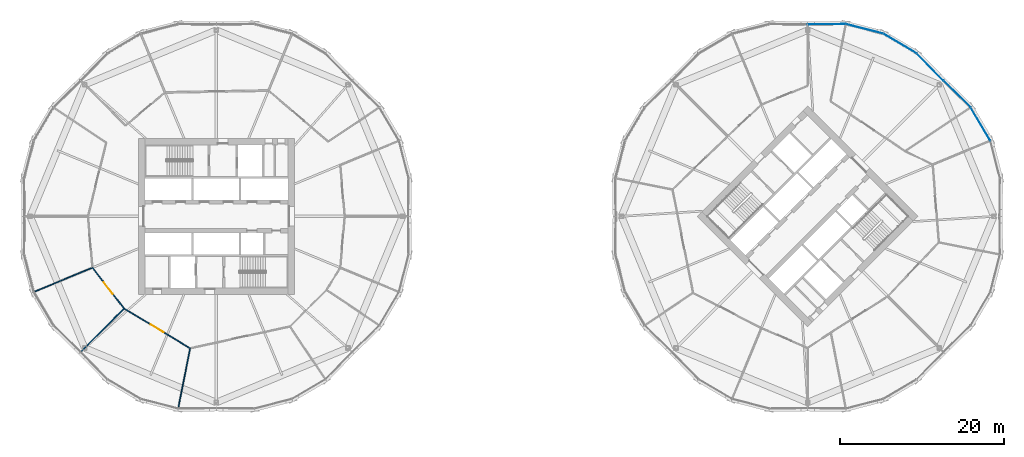
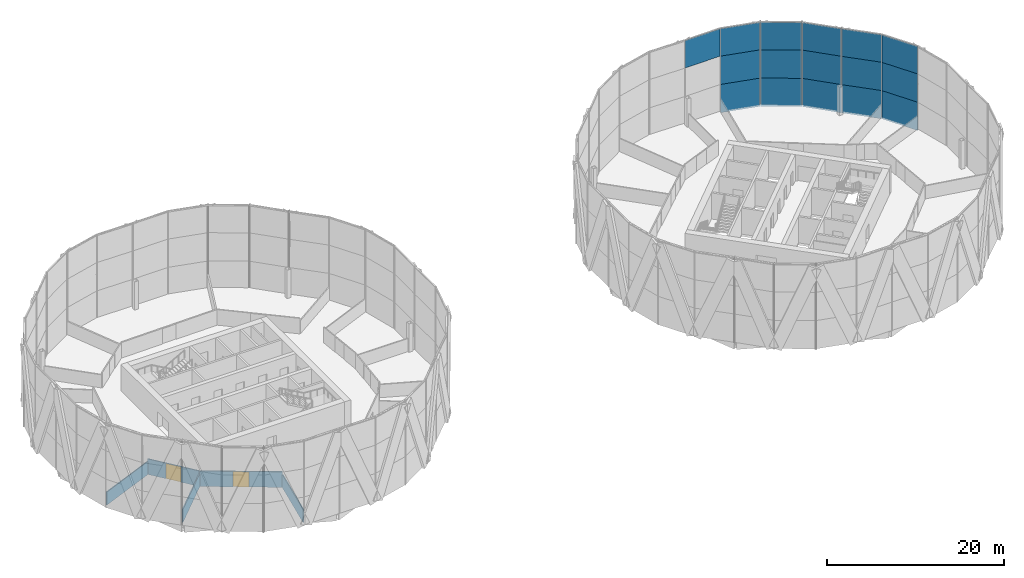
# One storey, part 19 of 26: 16 plates, 5 walls, 2 doors, 2 openings, 2 elements without a shape of their own.
"""IFC4 building model written with IfcOpenShell, lengths in metres."""

from ifc_helpers import new_model, si_unit, direction, frame, frame_2d, origin, origin_2d, place, context, subcontext, project, spatial, rectangle, extrude, material, layer, layer_set, type_object, element, fill, aggregate, save


model = new_model("IFC4")

# Units and contexts
model_context = context("Model", 3, precision=1e-05, world=origin(), true_north=direction((0.0, 1.0)))
body_context = subcontext(model_context, "Body", "Model", "MODEL_VIEW")
ifc_project = project(units=[si_unit("LENGTHUNIT", "METRE"), si_unit("AREAUNIT", "SQUARE_METRE"), si_unit("VOLUMEUNIT", "CUBIC_METRE"), si_unit("PLANEANGLEUNIT", "RADIAN"), si_unit("MASSUNIT", "GRAM", prefix="KILO")], contexts=[model_context])

# Site, building, storey
site_placement = place(None, origin())
site = spatial("IfcSite", under=ifc_project, at=site_placement, CompositionType="ELEMENT")
building_placement = place(site_placement, origin())
building = spatial("IfcBuilding", under=site, at=building_placement, Name="Ogive Gate Towers", CompositionType="ELEMENT")
storey_placement = place(building_placement, frame((0.0, 0.0, 87.89990234375)))
storey = spatial("IfcBuildingStorey", under=building, at=storey_placement, Name="L20", CompositionType="ELEMENT", Elevation=87.89990234375)

# Curtain wall, plates
ifc_material_1 = material(Name="Pale metal aluminium", Category="aluminium")
curtain_wall_type = type_object("IfcCurtainWallType", Name="Tower unitised wall, low zone", PredefinedType="NOTDEFINED", material=ifc_material_1)
curtain_wall_1_placement = place(storey_placement, origin())
curtain_wall_1 = element("IfcCurtainWall", 1, at=curtain_wall_1_placement, inside=storey, type_object=curtain_wall_type, Name="CW1 T2 ECW01", PredefinedType="NOTDEFINED")
ifc_material_2 = material(Name="Clear glass", Category="glass")
ifc_layer_1 = layer(ifc_material_2, 0.028076171875)
ifc_layer_set_1 = layer_set([ifc_layer_1], Name="Tower unitised wall, low zone glass panel")
plate_type = type_object("IfcPlateType", Name="Tower unitised wall, low zone glass panel", PredefinedType="CURTAIN_PANEL", material=ifc_layer_set_1)
plate_1_placement = place(storey_placement, frame((57.041015625, 11.239990234375, -0.2998046875), z_axis=(0.0, 0.0, 1.0), x_axis=(-0.508440380454, 0.861097195167, 0.0)))
plate_1 = element("IfcPlate", 2, at=plate_1_placement, type_object=plate_type, Name="CW1 glass panel", PredefinedType="CURTAIN_PANEL", context=body_context, shape_type="SweptSolid", body=[
    extrude(rectangle(XDim=4.64892578125, YDim=0.028076171875, at=origin_2d()), origin(), (0.0, 0.0, 1.0), 3.89990234375),
])
plate_2_placement = place(storey_placement, frame((57.041015625, 11.239990234375, 3.60009765625), z_axis=(0.0, 0.0, 1.0), x_axis=(-0.508440380454, 0.861097195167, 0.0)))
plate_2 = element("IfcPlate", 3, at=plate_2_placement, type_object=plate_type, Name="CW1 glass panel", PredefinedType="CURTAIN_PANEL", context=body_context, shape_type="SweptSolid", body=[
    extrude(rectangle(XDim=4.64892578125, YDim=0.028076171875, at=origin_2d()), origin(), (0.0, 0.0, 1.0), 3.89990234375),
])
plate_3_placement = place(storey_placement, frame((57.041015625, 11.239990234375, 7.5), z_axis=(0.0, 0.0, 1.0), x_axis=(-0.508440380454, 0.861097195167, 0.0)))
plate_3 = element("IfcPlate", 4, at=plate_3_placement, type_object=plate_type, Name="CW1 glass panel", PredefinedType="CURTAIN_PANEL", context=body_context, shape_type="SweptSolid", body=[
    extrude(rectangle(XDim=4.64892578125, YDim=0.028076171875, at=origin_2d()), origin(), (0.0, 0.0, 1.0), 3.803955078125),
])
plate_4_placement = place(storey_placement, frame((54.182861328125, 14.89794921875, -0.2998046875), z_axis=(0.0, 0.0, 1.0), x_axis=(-0.713678477155, 0.700473433647, 0.0)))
plate_4 = element("IfcPlate", 5, at=plate_4_placement, type_object=plate_type, Name="CW1 glass panel", PredefinedType="CURTAIN_PANEL", context=body_context, shape_type="SweptSolid", body=[
    extrude(rectangle(XDim=4.591796875, YDim=0.028076171875, at=origin_2d()), origin(), (0.0, 0.0, 1.0), 3.89990234375),
])
plate_5_placement = place(storey_placement, frame((54.182861328125, 14.89794921875, 3.60009765625), z_axis=(0.0, 0.0, 1.0), x_axis=(-0.713678477155, 0.700473433647, 0.0)))
plate_5 = element("IfcPlate", 6, at=plate_5_placement, type_object=plate_type, Name="CW1 glass panel", PredefinedType="CURTAIN_PANEL", context=body_context, shape_type="SweptSolid", body=[
    extrude(rectangle(XDim=4.591796875, YDim=0.028076171875, at=origin_2d()), origin(), (0.0, 0.0, 1.0), 3.89990234375),
])
plate_6_placement = place(storey_placement, frame((54.182861328125, 14.89794921875, 7.5), z_axis=(0.0, 0.0, 1.0), x_axis=(-0.713678477155, 0.700473433647, 0.0)))
plate_6 = element("IfcPlate", 7, at=plate_6_placement, type_object=plate_type, Name="CW1 glass panel", PredefinedType="CURTAIN_PANEL", context=body_context, shape_type="SweptSolid", body=[
    extrude(rectangle(XDim=4.591796875, YDim=0.028076171875, at=origin_2d()), origin(), (0.0, 0.0, 1.0), 3.803955078125),
])
aggregate(curtain_wall_1, [plate_1, plate_2, plate_3, plate_4, plate_5, plate_6])

curtain_wall_2_placement = place(storey_placement, origin())
curtain_wall_2 = element("IfcCurtainWall", 8, at=curtain_wall_2_placement, inside=storey, type_object=curtain_wall_type, Name="CW1 T2 ECW02", PredefinedType="NOTDEFINED")
plate_7_placement = place(storey_placement, frame((50.89794921875, 18.182861328125, -0.2998046875), z_axis=(0.0, 0.0, 1.0), x_axis=(-0.700473433647, 0.713678477155, 0.0)))
plate_7 = element("IfcPlate", 9, at=plate_7_placement, type_object=plate_type, Name="CW1 glass panel", PredefinedType="CURTAIN_PANEL", context=body_context, shape_type="SweptSolid", body=[
    extrude(rectangle(XDim=4.591796875, YDim=0.028076171875, at=origin_2d()), origin(), (0.0, 0.0, 1.0), 3.89990234375),
])
plate_8_placement = place(storey_placement, frame((50.89794921875, 18.182861328125, 3.60009765625), z_axis=(0.0, 0.0, 1.0), x_axis=(-0.700473433647, 0.713678477155, 0.0)))
plate_8 = element("IfcPlate", 10, at=plate_8_placement, type_object=plate_type, Name="CW1 glass panel", PredefinedType="CURTAIN_PANEL", context=body_context, shape_type="SweptSolid", body=[
    extrude(rectangle(XDim=4.591796875, YDim=0.028076171875, at=origin_2d()), origin(), (0.0, 0.0, 1.0), 3.89990234375),
])
plate_9_placement = place(storey_placement, frame((50.89794921875, 18.182861328125, 7.5), z_axis=(0.0, 0.0, 1.0), x_axis=(-0.700473433647, 0.713678477155, 0.0)))
plate_9 = element("IfcPlate", 11, at=plate_9_placement, type_object=plate_type, Name="CW1 glass panel", PredefinedType="CURTAIN_PANEL", context=body_context, shape_type="SweptSolid", body=[
    extrude(rectangle(XDim=4.591796875, YDim=0.028076171875, at=origin_2d()), origin(), (0.0, 0.0, 1.0), 3.803955078125),
])
plate_10_placement = place(storey_placement, frame((47.239990234375, 21.041015625, -0.2998046875), z_axis=(0.0, 0.0, 1.0), x_axis=(-0.861097195167, 0.508440380454, 0.0)))
plate_10 = element("IfcPlate", 12, at=plate_10_placement, type_object=plate_type, Name="CW1 glass panel", PredefinedType="CURTAIN_PANEL", context=body_context, shape_type="SweptSolid", body=[
    extrude(rectangle(XDim=4.64892578125, YDim=0.028076171875, at=origin_2d()), origin(), (0.0, 0.0, 1.0), 3.89990234375),
])
plate_11_placement = place(storey_placement, frame((47.239990234375, 21.041015625, 3.60009765625), z_axis=(0.0, 0.0, 1.0), x_axis=(-0.861097195167, 0.508440380454, 0.0)))
plate_11 = element("IfcPlate", 13, at=plate_11_placement, type_object=plate_type, Name="CW1 glass panel", PredefinedType="CURTAIN_PANEL", context=body_context, shape_type="SweptSolid", body=[
    extrude(rectangle(XDim=4.64892578125, YDim=0.028076171875, at=origin_2d()), origin(), (0.0, 0.0, 1.0), 3.89990234375),
])
plate_12_placement = place(storey_placement, frame((47.239990234375, 21.041015625, 7.5), z_axis=(0.0, 0.0, 1.0), x_axis=(-0.861097195167, 0.508440380454, 0.0)))
plate_12 = element("IfcPlate", 14, at=plate_12_placement, type_object=plate_type, Name="CW1 glass panel", PredefinedType="CURTAIN_PANEL", context=body_context, shape_type="SweptSolid", body=[
    extrude(rectangle(XDim=4.64892578125, YDim=0.028076171875, at=origin_2d()), origin(), (0.0, 0.0, 1.0), 3.803955078125),
])
plate_13_placement = place(storey_placement, frame((42.930419921875, 22.826171875, -0.2998046875), z_axis=(0.0, 0.0, 1.0), x_axis=(-0.968413658922, 0.249349123146, 0.0)))
plate_13 = element("IfcPlate", 15, at=plate_13_placement, type_object=plate_type, Name="CW1 glass panel", PredefinedType="CURTAIN_PANEL", context=body_context, shape_type="SweptSolid", body=[
    extrude(rectangle(XDim=4.649169921875, YDim=0.028076171875, at=origin_2d()), origin(), (0.0, 0.0, 1.0), 3.89990234375),
])
plate_14_placement = place(storey_placement, frame((42.930419921875, 22.826171875, 3.60009765625), z_axis=(0.0, 0.0, 1.0), x_axis=(-0.968413658922, 0.249349123146, 0.0)))
plate_14 = element("IfcPlate", 16, at=plate_14_placement, type_object=plate_type, Name="CW1 glass panel", PredefinedType="CURTAIN_PANEL", context=body_context, shape_type="SweptSolid", body=[
    extrude(rectangle(XDim=4.649169921875, YDim=0.028076171875, at=origin_2d()), origin(), (0.0, 0.0, 1.0), 3.89990234375),
])
plate_15_placement = place(storey_placement, frame((42.930419921875, 22.826171875, 7.5), z_axis=(0.0, 0.0, 1.0), x_axis=(-0.968413658922, 0.249349123146, 0.0)))
plate_15 = element("IfcPlate", 17, at=plate_15_placement, type_object=plate_type, Name="CW1 glass panel", PredefinedType="CURTAIN_PANEL", context=body_context, shape_type="SweptSolid", body=[
    extrude(rectangle(XDim=4.649169921875, YDim=0.028076171875, at=origin_2d()), origin(), (0.0, 0.0, 1.0), 3.803955078125),
])
plate_16_placement = place(storey_placement, frame((38.32275390625, 23.3916015625, 7.5), z_axis=(0.0, 0.0, 1.0), x_axis=(-0.999956405756, -0.009337375811, 0.0)))
plate_16 = element("IfcPlate", 18, at=plate_16_placement, type_object=plate_type, Name="CW1 glass panel", PredefinedType="CURTAIN_PANEL", context=body_context, shape_type="SweptSolid", body=[
    extrude(rectangle(XDim=4.591796875, YDim=0.028076171875, at=origin_2d()), origin(), (0.0, 0.0, 1.0), 3.803955078125),
])
aggregate(curtain_wall_2, [plate_7, plate_8, plate_9, plate_10, plate_11, plate_12, plate_13, plate_14, plate_15, plate_16])

# Walls
ifc_material_3 = material(Name="Gypsum board partition")
ifc_layer_2 = layer(ifc_material_3, 0.125)
ifc_layer_set_2 = layer_set([ifc_layer_2], Name="Partition 125")
wall_type = type_object("IfcWallType", Name="Partition 125", PredefinedType="PARTITIONING", material=ifc_layer_set_2)
wall_1_placement = place(storey_placement, frame((-58.1455078125, -9.1728515625, 0.0), z_axis=(0.0, 0.0, 1.0), x_axis=(0.923883306307, 0.382674321488, 0.0)))
element("IfcWall", 19, at=wall_1_placement, inside=storey, type_object=wall_type, Name="Partition T1-L20-009", PredefinedType="PARTITIONING", context=body_context, shape_type="SweptSolid", body=[
    extrude(rectangle(XDim=7.57666015625, YDim=0.125, at=frame_2d((3.788330078125, 0.0))), origin(), (0.0, 0.0, 1.0), 1.800048828125),
])
wall_2_placement = place(storey_placement, frame((-52.45361328125, -16.45361328125, 0.0), z_axis=(0.0, 0.0, 1.0), x_axis=(0.707106781187, 0.707106781187, 0.0)))
element("IfcWall", 20, at=wall_2_placement, inside=storey, type_object=wall_type, Name="Partition T1-L20-010", PredefinedType="PARTITIONING", context=body_context, shape_type="SweptSolid", body=[
    extrude(rectangle(XDim=7.326171875, YDim=0.125, at=frame_2d((3.6630859375, 0.0))), origin(), (0.0, 0.0, 1.0), 1.800048828125),
])
wall_3_placement = place(storey_placement, frame((-40.6298828125, -23.314208984375, 0.0), z_axis=(0.0, 0.0, 1.0), x_axis=(0.194776598736, 0.980847631686, 0.0)))
element("IfcWall", 21, at=wall_3_placement, inside=storey, type_object=wall_type, Name="Partition T1-L20-011", PredefinedType="PARTITIONING", context=body_context, shape_type="SweptSolid", body=[
    extrude(rectangle(XDim=7.326416015625, YDim=0.125, at=frame_2d((3.6630859375, 0.0))), origin(), (0.0, 0.0, 1.0), 1.800048828125),
])

# Wall, opening, door
wall_4_placement = place(storey_placement, frame((-51.087890625, -6.24951171875, 0.0), z_axis=(0.0, 0.0, 1.0), x_axis=(0.612549874442, -0.790431939714, 0.0)))
wall_4 = element("IfcWall", 22, at=wall_4_placement, inside=storey, type_object=wall_type, Name="Partition T1-L20-020", PredefinedType="PARTITIONING", context=body_context, shape_type="SweptSolid", body=[
    extrude(rectangle(XDim=6.2998046875, YDim=0.125, at=frame_2d((3.14990234375, 0.0))), origin(), (0.0, 0.0, 1.0), 2.14013671875),
])
opening_1_placement = place(wall_4_placement, frame((2.25, 0.0, 0.0)))
opening_1 = element("IfcOpeningElement", 23, at=opening_1_placement, cuts=wall_4, Name="Opening T1-L20-D06", PredefinedType="OPENING", context=body_context, shape_type="SweptSolid", body=[
    extrude(rectangle(XDim=1.800048828125, YDim=2.10009765625, at=frame_2d((0.89990234375, 1.050048828125))), frame((0.0, 0.072509765625, 0.0), z_axis=(0.0, -1.0, 0.0), x_axis=(1.0, 0.0, 0.0)), (0.0, 0.0, 1.0), 0.14501953125),
])
ifc_material_4 = material(Name="Timber door", Category="wood")
door_type = type_object("IfcDoorType", Name="Door pair 1800", OperationType="NOTDEFINED", PredefinedType="DOOR", material=ifc_material_4)
door_1_placement = place(opening_1_placement, origin())
door_1 = element("IfcDoor", 24, at=door_1_placement, inside=storey, type_object=door_type, Name="Door T1-L20-D06", OperationType="DOUBLE_DOOR_DOUBLE_SWING", OverallHeight=2.10009765625, OverallWidth=1.800048828125, PredefinedType="DOOR", context=body_context, shape_type="SweptSolid", body=[
    extrude(rectangle(XDim=1.800048828125, YDim=2.10009765625, at=frame_2d((0.89990234375, 1.050048828125))), frame((0.0, 0.02490234375, 0.0), z_axis=(0.0, -1.0, 0.0), x_axis=(1.0, 0.0, 0.0)), (0.0, 0.0, 1.0), 0.050048828125),
])
fill(opening_1, door_1)

wall_5_placement = place(storey_placement, frame((-47.22900390625, -11.22900390625, 0.0), z_axis=(0.0, 0.0, 1.0), x_axis=(0.856791819127, -0.515662465841, 0.0)))
wall_5 = element("IfcWall", 25, at=wall_5_placement, inside=storey, type_object=wall_type, Name="Partition T1-L20-021", PredefinedType="PARTITIONING", context=body_context, shape_type="SweptSolid", body=[
    extrude(rectangle(XDim=9.3818359375, YDim=0.125, at=frame_2d((4.69091796875, 0.0))), origin(), (0.0, 0.0, 1.0), 2.14013671875),
])
opening_2_placement = place(wall_5_placement, frame((3.791015625, 0.0, 0.0)))
opening_2 = element("IfcOpeningElement", 26, at=opening_2_placement, cuts=wall_5, Name="Opening T1-L20-D07", PredefinedType="OPENING", context=body_context, shape_type="SweptSolid", body=[
    extrude(rectangle(XDim=1.800048828125, YDim=2.10009765625, at=frame_2d((0.89990234375, 1.050048828125))), frame((0.0, 0.072509765625, 0.0), z_axis=(0.0, -1.0, 0.0), x_axis=(1.0, 0.0, 0.0)), (0.0, 0.0, 1.0), 0.14501953125),
])
door_2_placement = place(opening_2_placement, origin())
door_2 = element("IfcDoor", 27, at=door_2_placement, inside=storey, type_object=door_type, Name="Door T1-L20-D07", OperationType="DOUBLE_DOOR_DOUBLE_SWING", OverallHeight=2.10009765625, OverallWidth=1.800048828125, PredefinedType="DOOR", context=body_context, shape_type="SweptSolid", body=[
    extrude(rectangle(XDim=1.800048828125, YDim=2.10009765625, at=frame_2d((0.89990234375, 1.050048828125))), frame((0.0, 0.02490234375, 0.0), z_axis=(0.0, -1.0, 0.0), x_axis=(1.0, 0.0, 0.0)), (0.0, 0.0, 1.0), 0.050048828125),
])
fill(opening_2, door_2)

save(model, "model.ifc")
